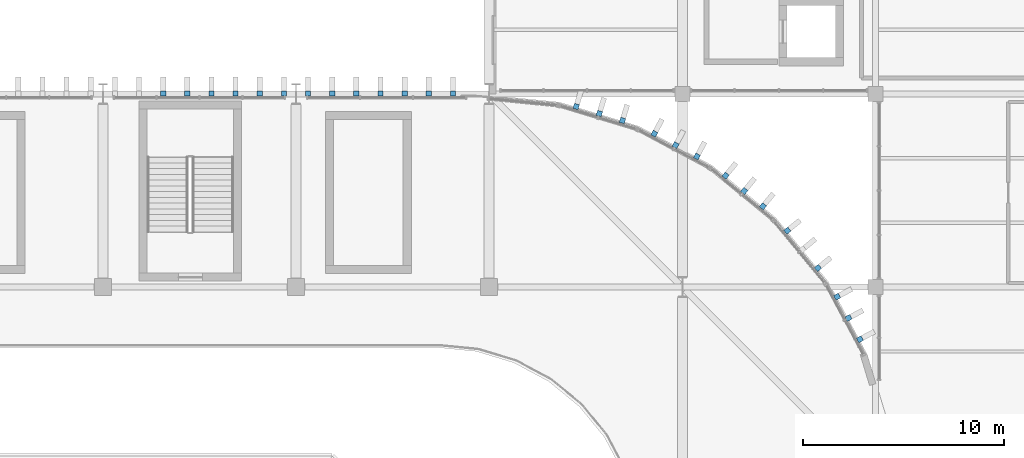
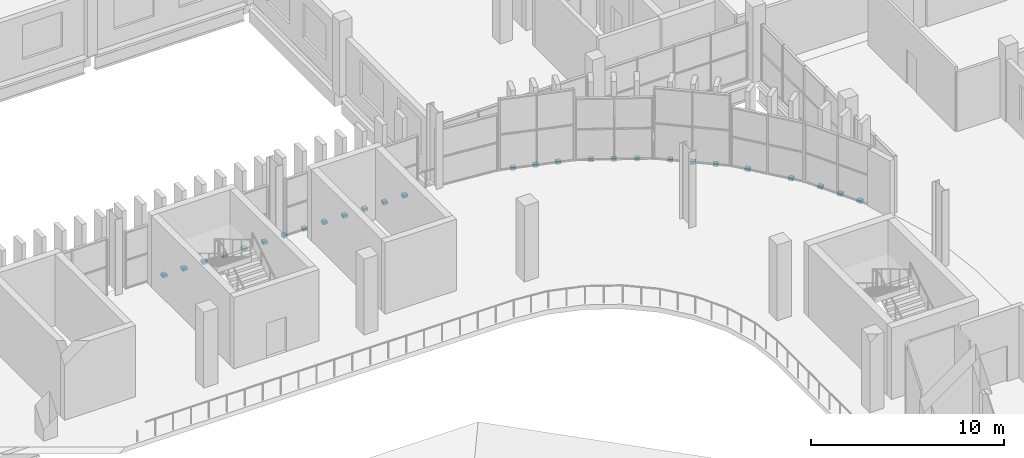
# One storey, part 77 of 99: 27 discrete accessories.
"""IFC4 building model written with IfcOpenShell, lengths in metres."""

from ifc_helpers import new_model, si_unit, direction, frame, origin, origin_2d, place, context, subcontext, project, spatial, rectangle, extrude, material, type_object, element, save


model = new_model("IFC4")

# Units and contexts
model_context = context("Model", 3, precision=1e-05, world=origin(), true_north=direction((0.0, 1.0)))
body_context = subcontext(model_context, "Body", "Model", "MODEL_VIEW")
ifc_project = project(units=[si_unit("LENGTHUNIT", "METRE"), si_unit("AREAUNIT", "SQUARE_METRE"), si_unit("VOLUMEUNIT", "CUBIC_METRE"), si_unit("PLANEANGLEUNIT", "RADIAN"), si_unit("MASSUNIT", "GRAM", prefix="KILO")], contexts=[model_context])

# Site, building, storey
site_placement = place(None, origin())
site = spatial("IfcSite", under=ifc_project, at=site_placement, CompositionType="ELEMENT")
building_placement = place(site_placement, origin())
building = spatial("IfcBuilding", under=site, at=building_placement, Name="Caelomonte Colonnade Arena", CompositionType="ELEMENT")
storey_placement = place(building_placement, frame((0.0, 0.0, 4.800048828125)))
storey = spatial("IfcBuildingStorey", under=building, at=storey_placement, Name="L01", CompositionType="ELEMENT", Elevation=4.800048828125)

# Discrete accessories
ifc_material = material(Name="Steel ASTM A572 Grade 50", Category="steel")
discrete_accessory_type = type_object("IfcDiscreteAccessoryType", Name="ENV-ACC-BRK", PredefinedType="BRACKET", material=ifc_material)
for number, where, z_axis, x_axis, name in (
    (1, (162.42333984375, 103.007568359375, -0.2099609375), (0.0, 0.0, 1.0), (-0.471396736826, 0.881921264348, 0.0), "V1 L01 fin support bracket 75"),
    (2, (161.857666015625, 104.06591796875, -0.2099609375), (0.0, 0.0, 1.0), (-0.471396736826, 0.881921264348, 0.0), "V1 L01 fin support bracket 76"),
    (3, (161.2919921875, 105.1240234375, -0.2099609375), (0.0, 0.0, 1.0), (-0.471396736826, 0.881921264348, 0.0), "V1 L01 fin support bracket 77"),
    (4, (160.339599609375, 106.549560546875, -0.2099609375), (0.0, 0.0, 1.0), (-0.634413521313, 0.77299384472, 0.0), "V1 L01 fin support bracket 78"),
    (5, (158.81689453125, 108.40478515625, -0.2099609375), (0.0, 0.0, 1.0), (-0.634413521313, 0.77299384472, 0.0), "V1 L01 fin support bracket 80"),
    (6, (157.604736328125, 109.616943359375, -0.2099609375), (0.0, 0.0, 1.0), (-0.77299384472, 0.634413521313, 0.0), "V1 L01 fin support bracket 81"),
    (7, (156.677001953125, 110.378173828125, -0.2099609375), (0.0, 0.0, 1.0), (-0.77299384472, 0.634413521313, 0.0), "V1 L01 fin support bracket 82"),
    (8, (155.74951171875, 111.139404296875, -0.2099609375), (0.0, 0.0, 1.0), (-0.77299384472, 0.634413521313, 0.0), "V1 L01 fin support bracket 83"),
    (9, (154.32421875, 112.092041015625, -0.2099609375), (0.0, 0.0, 1.0), (-0.881921264348, 0.471396736826, 0.0), "V1 L01 fin support bracket 84"),
    (10, (153.265869140625, 112.65771484375, -0.2099609375), (0.0, 0.0, 1.0), (-0.881921264348, 0.471396736826, 0.0), "V1 L01 fin support bracket 85"),
    (11, (152.20751953125, 113.223388671875, -0.2099609375), (0.0, 0.0, 1.0), (-0.881921264348, 0.471396736826, 0.0), "V1 L01 fin support bracket 86"),
    (12, (150.623779296875, 113.87939453125, -0.2099609375), (0.0, 0.0, 1.0), (-0.956942868907, 0.290276326364, 0.0), "V1 L01 fin support bracket 87"),
    (13, (149.475341796875, 114.227783203125, -0.2099609375), (0.0, 0.0, 1.0), (-0.956942868907, 0.290276326364, 0.0), "V1 L01 fin support bracket 88"),
    (14, (148.326904296875, 114.575927734375, -0.2099609375), (0.0, 0.0, 1.0), (-0.956942868907, 0.290276326364, 0.0), "V1 L01 fin support bracket 89"),
    (15, (142.199951171875, 115.22998046875, -0.2099609375), (0.0, 0.0, 1.0), (-1.0, 0.0, 0.0), "V1 L01 fin support bracket 93"),
    (16, (141.0, 115.22998046875, -0.2099609375), (0.0, 0.0, 1.0), (-1.0, 0.0, 0.0), "V1 L01 fin support bracket 94"),
    (17, (139.800048828125, 115.22998046875, -0.2099609375), (0.0, 0.0, 1.0), (-1.0, 0.0, 0.0), "V1 L01 fin support bracket 95"),
    (18, (138.60009765625, 115.22998046875, -0.2099609375), (0.0, 0.0, 1.0), (-1.0, 0.0, 0.0), "V1 L01 fin support bracket 96"),
    (19, (137.39990234375, 115.22998046875, -0.2099609375), (0.0, 0.0, 1.0), (-1.0, 0.0, 0.0), "V1 L01 fin support bracket 97"),
    (20, (136.199951171875, 115.22998046875, -0.2099609375), (0.0, 0.0, 1.0), (-1.0, 0.0, 0.0), "V1 L01 fin support bracket 98"),
    (21, (135.0, 115.22998046875, -0.2099609375), (0.0, 0.0, 1.0), (-1.0, 0.0, 0.0), "V1 L01 fin support bracket 99"),
    (22, (133.800048828125, 115.22998046875, -0.2099609375), (0.0, 0.0, 1.0), (-1.0, 0.0, 0.0), "V1 L01 fin support bracket 100"),
    (23, (132.60009765625, 115.22998046875, -0.2099609375), (0.0, 0.0, 1.0), (-1.0, 0.0, 0.0), "V1 L01 fin support bracket 101"),
    (24, (131.39990234375, 115.22998046875, -0.2099609375), (0.0, 0.0, 1.0), (-1.0, 0.0, 0.0), "V1 L01 fin support bracket 102"),
    (25, (130.199951171875, 115.22998046875, -0.2099609375), (0.0, 0.0, 1.0), (-1.0, 0.0, 0.0), "V1 L01 fin support bracket 103"),
    (26, (129.0, 115.22998046875, -0.2099609375), (0.0, 0.0, 1.0), (-1.0, 0.0, 0.0), "V1 L01 fin support bracket 104"),
    (27, (127.800048828125, 115.22998046875, -0.2099609375), (0.0, 0.0, 1.0), (-1.0, 0.0, 0.0), "V1 L01 fin support bracket 105"),
):
    element("IfcDiscreteAccessory", number, at=place(storey_placement, frame(where, z_axis=z_axis, x_axis=x_axis)), inside=storey, type_object=discrete_accessory_type, Name=name, PredefinedType="BRACKET", context=body_context, shape_type="SweptSolid", body=[
        extrude(rectangle(XDim=0.260009765625, YDim=0.260009765625, at=origin_2d()), origin(), (0.0, 0.0, 1.0), 0.179931640625),
    ])

save(model, "model.ifc")
